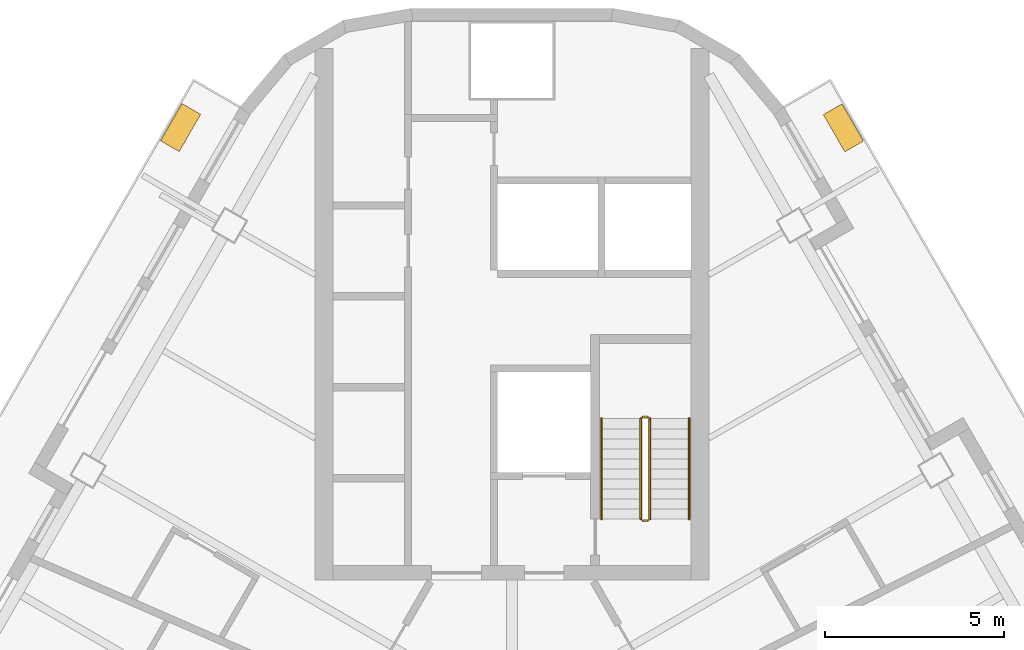
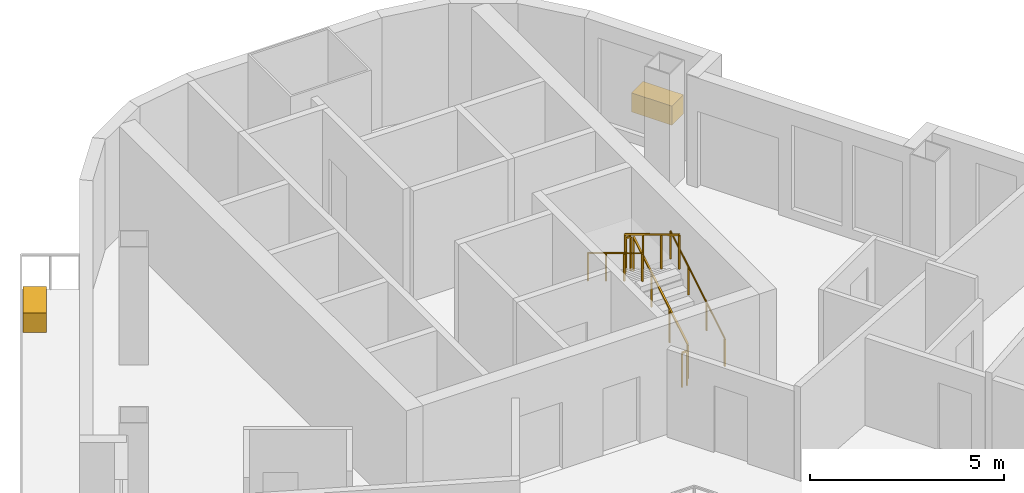
# One storey, part 14 of 14: 6 railings, 2 coverings.
"""IFC4 building model written with IfcOpenShell, lengths in metres."""

from ifc_helpers import new_model, si_unit, direction, frame, origin, origin_2d, place, context, subcontext, project, spatial, rectangle, circle, extrude, material, type_object, element, save


model = new_model("IFC4")

# Units and contexts
model_context = context("Model", 3, precision=1e-05, world=origin(), true_north=direction((0.0, 1.0)))
body_context = subcontext(model_context, "Body", "Model", "MODEL_VIEW")
ifc_project = project(units=[si_unit("LENGTHUNIT", "METRE"), si_unit("AREAUNIT", "SQUARE_METRE"), si_unit("VOLUMEUNIT", "CUBIC_METRE"), si_unit("PLANEANGLEUNIT", "RADIAN"), si_unit("MASSUNIT", "GRAM", prefix="KILO")], contexts=[model_context])

# Site, building, storey
site_placement = place(None, origin())
site = spatial("IfcSite", under=ifc_project, at=site_placement, CompositionType="ELEMENT")
building_placement = place(site_placement, origin())
building = spatial("IfcBuilding", under=site, at=building_placement, Name="Apuvela Tower Hotel", CompositionType="ELEMENT")
storey_placement = place(building_placement, frame((0.0, 0.0, 228.0)))
storey = spatial("IfcBuildingStorey", under=building, at=storey_placement, Name="L56", CompositionType="ELEMENT", Elevation=228.0)

# Railings
ifc_material_1 = material(Name="Steel S275 balustrade", Category="steel")
railing_type_1 = type_object("IfcRailingType", Name="COR-GUARD-1100", PredefinedType="GUARDRAIL", material=ifc_material_1)
railing_1_placement = place(storey_placement, frame((3.85009765625, 14.60009765625, 0.168212890625)))
element("IfcRailing", 1, at=railing_1_placement, inside=storey, type_object=railing_type_1, Name="L56 ST1 stair guard 1", PredefinedType="GUARDRAIL", context=body_context, shape_type="SweptSolid", body=[
    extrude(rectangle(XDim=0.048095703125, YDim=0.048095703125, at=origin_2d()), frame((0.0, 0.0, 1.076171875), z_axis=(0.0, 0.857222391501, 0.514946377315), x_axis=(-1.0, 0.0, 0.0)), (0.0, 0.0, 1.0), 3.26611328125),
    extrude(rectangle(XDim=0.0419921875, YDim=0.0419921875, at=origin_2d()), origin(), (0.0, 0.0, 1.0), 1.052001953125),
    extrude(rectangle(XDim=0.0419921875, YDim=0.0419921875, at=origin_2d()), frame((0.0, 0.933349609375, 0.560546875)), (0.0, 0.0, 1.0), 1.052001953125),
    extrude(rectangle(XDim=0.0419921875, YDim=0.0419921875, at=origin_2d()), frame((0.0, 1.866455078125, 1.121337890625)), (0.0, 0.0, 1.0), 1.052001953125),
    extrude(rectangle(XDim=0.0419921875, YDim=0.0419921875, at=origin_2d()), frame((0.0, 2.7998046875, 1.681884765625)), (0.0, 0.0, 1.0), 1.052001953125),
])
railing_2_placement = place(storey_placement, frame((3.800048828125, 17.449951171875, 1.85009765625)))
element("IfcRailing", 2, at=railing_2_placement, inside=storey, type_object=railing_type_1, Name="L56 ST1 stair guard 2", PredefinedType="GUARDRAIL", context=body_context, shape_type="SweptSolid", body=[
    extrude(rectangle(XDim=0.048095703125, YDim=0.048095703125, at=origin_2d()), frame((0.0, 0.0, 1.076171875), z_axis=(-1.0, 0.0, 0.0), x_axis=(0.0, -1.0, 0.0)), (0.0, 0.0, 1.0), 0.150146484375),
    extrude(rectangle(XDim=0.0419921875, YDim=0.0419921875, at=origin_2d()), origin(), (0.0, 0.0, 1.0), 1.052001953125),
    extrude(rectangle(XDim=0.0419921875, YDim=0.0419921875, at=origin_2d()), frame((-0.150146484375, 0.0, 0.0)), (0.0, 0.0, 1.0), 1.052001953125),
])
railing_3_placement = place(storey_placement, frame((3.60009765625, 17.39990234375, 2.01806640625)))
element("IfcRailing", 3, at=railing_3_placement, inside=storey, type_object=railing_type_1, Name="L56 ST1 stair guard 3", PredefinedType="GUARDRAIL", context=body_context, shape_type="SweptSolid", body=[
    extrude(rectangle(XDim=0.048095703125, YDim=0.048095703125, at=origin_2d()), frame((0.0, 0.0, 1.076171875), z_axis=(0.0, -0.857222391501, 0.514946377315), x_axis=(1.0, 0.0, 0.0)), (0.0, 0.0, 1.0), 3.26611328125),
    extrude(rectangle(XDim=0.0419921875, YDim=0.0419921875, at=origin_2d()), origin(), (0.0, 0.0, 1.0), 1.052001953125),
    extrude(rectangle(XDim=0.0419921875, YDim=0.0419921875, at=origin_2d()), frame((0.0, -0.933349609375, 0.560546875)), (0.0, 0.0, 1.0), 1.052001953125),
    extrude(rectangle(XDim=0.0419921875, YDim=0.0419921875, at=origin_2d()), frame((0.0, -1.866455078125, 1.121337890625)), (0.0, 0.0, 1.0), 1.052001953125),
    extrude(rectangle(XDim=0.0419921875, YDim=0.0419921875, at=origin_2d()), frame((0.0, -2.7998046875, 1.681884765625)), (0.0, 0.0, 1.0), 1.052001953125),
])
railing_4_placement = place(storey_placement, frame((3.800048828125, 14.550048828125, 0.0)))
element("IfcRailing", 4, at=railing_4_placement, inside=storey, type_object=railing_type_1, Name="L56 ST1 stair guard 4", PredefinedType="GUARDRAIL", context=body_context, shape_type="SweptSolid", body=[
    extrude(rectangle(XDim=0.048095703125, YDim=0.048095703125, at=origin_2d()), frame((0.0, 0.0, 1.076171875), z_axis=(-1.0, 0.0, 0.0), x_axis=(0.0, -1.0, 0.0)), (0.0, 0.0, 1.0), 0.150146484375),
    extrude(rectangle(XDim=0.0419921875, YDim=0.0419921875, at=origin_2d()), origin(), (0.0, 0.0, 1.0), 1.052001953125),
    extrude(rectangle(XDim=0.0419921875, YDim=0.0419921875, at=origin_2d()), frame((-0.150146484375, 0.0, 0.0)), (0.0, 0.0, 1.0), 1.052001953125),
])
ifc_material_2 = material(Name="Stainless steel 316 handrail", Category="steel")
railing_type_2 = type_object("IfcRailingType", Name="COR-HANDRAIL-900", PredefinedType="HANDRAIL", material=ifc_material_2)
railing_5_placement = place(storey_placement, frame((4.949951171875, 14.60009765625, 0.168212890625)))
element("IfcRailing", 5, at=railing_5_placement, inside=storey, type_object=railing_type_2, Name="L56 ST1 stair handrail 1", PredefinedType="HANDRAIL", context=body_context, shape_type="SweptSolid", body=[
    extrude(circle(Radius=0.02392578125, at=origin_2d()), frame((0.0, 0.0, 0.8759765625), z_axis=(0.0, 0.857222391501, 0.514946377315), x_axis=(-1.0, 0.0, 0.0)), (0.0, 0.0, 1.0), 3.26611328125),
    extrude(rectangle(XDim=0.0419921875, YDim=0.0419921875, at=origin_2d()), origin(), (0.0, 0.0, 1.0), 0.851806640625),
    extrude(rectangle(XDim=0.0419921875, YDim=0.0419921875, at=origin_2d()), frame((0.0, 0.933349609375, 0.560546875)), (0.0, 0.0, 1.0), 0.851806640625),
    extrude(rectangle(XDim=0.0419921875, YDim=0.0419921875, at=origin_2d()), frame((0.0, 1.866455078125, 1.121337890625)), (0.0, 0.0, 1.0), 0.851806640625),
    extrude(rectangle(XDim=0.0419921875, YDim=0.0419921875, at=origin_2d()), frame((0.0, 2.7998046875, 1.681884765625)), (0.0, 0.0, 1.0), 0.851806640625),
])
railing_6_placement = place(storey_placement, frame((2.5, 17.39990234375, 2.01806640625)))
element("IfcRailing", 6, at=railing_6_placement, inside=storey, type_object=railing_type_2, Name="L56 ST1 stair handrail 2", PredefinedType="HANDRAIL", context=body_context, shape_type="SweptSolid", body=[
    extrude(circle(Radius=0.02392578125, at=origin_2d()), frame((0.0, 0.0, 0.8759765625), z_axis=(0.0, -0.857222391501, 0.514946377315), x_axis=(1.0, 0.0, 0.0)), (0.0, 0.0, 1.0), 3.26611328125),
    extrude(rectangle(XDim=0.0419921875, YDim=0.0419921875, at=origin_2d()), origin(), (0.0, 0.0, 1.0), 0.851806640625),
    extrude(rectangle(XDim=0.0419921875, YDim=0.0419921875, at=origin_2d()), frame((0.0, -0.933349609375, 0.560546875)), (0.0, 0.0, 1.0), 0.851806640625),
    extrude(rectangle(XDim=0.0419921875, YDim=0.0419921875, at=origin_2d()), frame((0.0, -1.866455078125, 1.121337890625)), (0.0, 0.0, 1.0), 0.851806640625),
    extrude(rectangle(XDim=0.0419921875, YDim=0.0419921875, at=origin_2d()), frame((0.0, -2.7998046875, 1.681884765625)), (0.0, 0.0, 1.0), 0.851806640625),
])

# Coverings
ifc_material_3 = material(Name="Planting substrate and soil, planted")
covering_type = type_object("IfcCoveringType", Name="ENV-PLANTER-1200x600", PredefinedType="USERDEFINED", material=ifc_material_3)
for number, where, z_axis, x_axis, name in (
    (7, (9.2578125, 25.52490234375, 0.0), (0.0, 0.0, 1.0), (-0.5, 0.866025403784, 0.0), "Planter NE3"),
    (8, (-9.253662109375, 25.5322265625, 0.0), (0.0, 0.0, 1.0), (-0.5, -0.866025403784, 0.0), "Planter NW4"),
):
    element("IfcCovering", number, at=place(storey_placement, frame(where, z_axis=z_axis, x_axis=x_axis)), inside=storey, type_object=covering_type, Name=name, ObjectType="PLANTER", PredefinedType="USERDEFINED", context=body_context, shape_type="SweptSolid", body=[
        extrude(rectangle(XDim=1.199951171875, YDim=0.60009765625, at=origin_2d()), origin(), (0.0, 0.0, 1.0), 0.60009765625),
    ])

save(model, "model.ifc")
